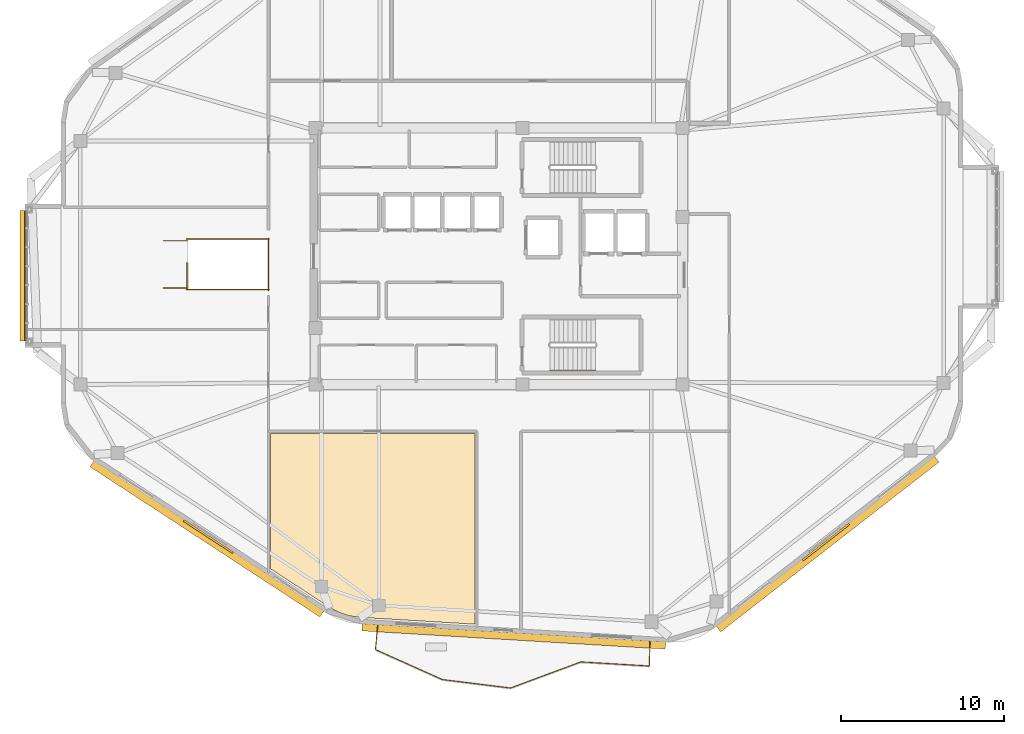
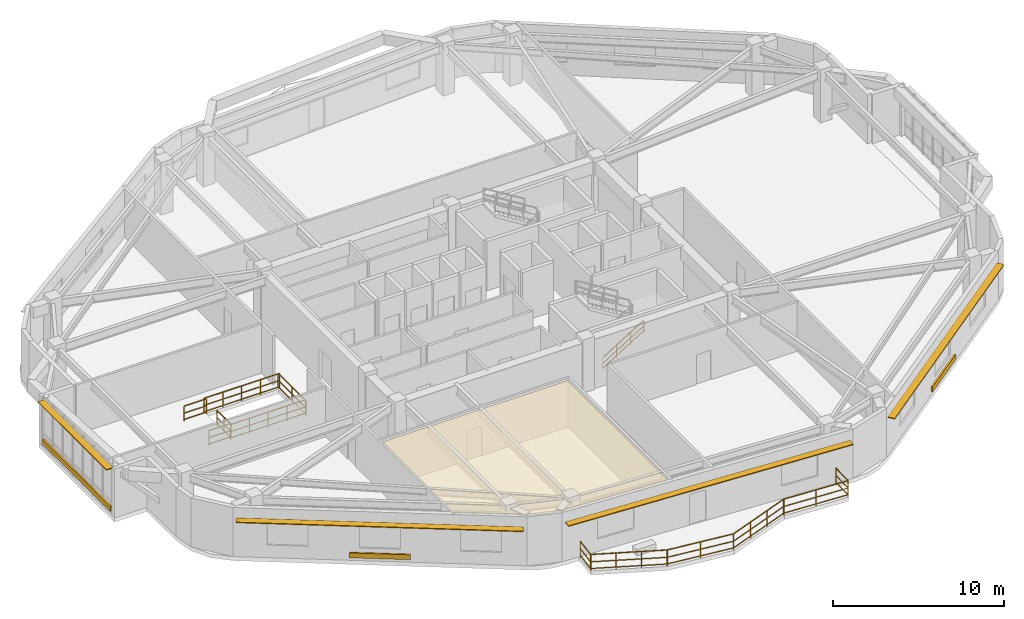
# One storey, part 14 of 16: 13 railings, 7 shading devices, 1 covering.
"""IFC4 building model written with IfcOpenShell, lengths in metres."""

from ifc_helpers import new_model, si_unit, direction, frame, origin, origin_2d, place, context, subcontext, project, spatial, polyline, rectangle, outline, extrude, material, layer, layer_set, type_object, element, save


model = new_model("IFC4")

# Units and contexts
model_context = context("Model", 3, precision=1e-05, world=origin(), true_north=direction((0.0, 1.0)))
body_context = subcontext(model_context, "Body", "Model", "MODEL_VIEW")
ifc_project = project(units=[si_unit("LENGTHUNIT", "METRE"), si_unit("AREAUNIT", "SQUARE_METRE"), si_unit("VOLUMEUNIT", "CUBIC_METRE"), si_unit("PLANEANGLEUNIT", "RADIAN"), si_unit("MASSUNIT", "GRAM", prefix="KILO")], contexts=[model_context])

# Site, building, storey
site_placement = place(None, origin())
site = spatial("IfcSite", under=ifc_project, at=site_placement, CompositionType="ELEMENT")
building_placement = place(site_placement, origin())
building = spatial("IfcBuilding", under=site, at=building_placement, Name="Zulverin Broadcast Headquarters", CompositionType="ELEMENT")
storey_placement = place(building_placement, frame((0.0, 0.0, 228.800048828125)))
storey = spatial("IfcBuildingStorey", under=building, at=storey_placement, Name="L58", CompositionType="ELEMENT", Elevation=228.800048828125)

# Covering
ifc_material_1 = material(Name="Perforated pale-metal acoustic baffle ceiling", Category="aluminium")
ifc_layer_1 = layer(ifc_material_1, 0.0400390625, Name="Perforated pale-metal acoustic baffle ceiling", Category="aluminium")
ifc_layer_set_1 = layer_set([ifc_layer_1], Name="Perforated pale-metal acoustic baffle ceiling")
covering_type = type_object("IfcCoveringType", Name="COV-CEIL-ACOU", PredefinedType="CEILING", material=ifc_layer_set_1)
covering_placement = place(storey_placement, frame((0.0, 0.0, 3.329833984375)))
element("IfcCovering", 1, at=covering_placement, inside=storey, type_object=covering_type, Name="L58 Acoustic Baffle Ceiling 03", PredefinedType="CEILING", context=body_context, shape_type="SweptSolid", body=[
    extrude(outline(polyline([(27.18798828125, 3.33203125), (27.7958984375, 3.1279296875), (28.444091796875, 3.031982421875), (35.531982421875, 2.60791015625), (35.531982421875, 14.33203125), (22.968017578125, 14.33203125), (22.968017578125, 6.01611328125), (26.60791015625, 3.639892578125), (27.18798828125, 3.33203125)])), origin(), (0.0, 0.0, 1.0), 0.0400390625),
])

# Railings
ifc_material_2 = material(Name="Brushed stainless steel & laminated glass balustrade", Category="steel")
railing_type_1 = type_object("IfcRailingType", Name="RL-GUARD-1150", PredefinedType="GUARDRAIL", material=ifc_material_2)
railing_1_placement = place(storey_placement, frame((29.5576171875, 2.525390625, 0.0)))
element("IfcRailing", 2, at=railing_1_placement, inside=storey, type_object=railing_type_1, Name="L58 Vertical-Forest Balcony Guardrail BAL_S Segment 01", PredefinedType="GUARDRAIL", context=body_context, shape_type="SweptSolid", body=[
    extrude(rectangle(XDim=0.048095703125, YDim=0.048095703125, at=origin_2d()), frame((0.0, 0.0, 1.1259765625), z_axis=(-0.100245616419, -0.994962721105, 0.0), x_axis=(0.994962721105, -0.100245616419, 0.0)), (0.0, 0.0, 1.0), 1.466064453125),
    extrude(rectangle(XDim=0.0419921875, YDim=0.0419921875, at=origin_2d()), frame((0.0, 0.0, 0.597900390625), z_axis=(-0.100245616419, -0.994962721105, 0.0), x_axis=(0.994962721105, -0.100245616419, 0.0)), (0.0, 0.0, 1.0), 1.466064453125),
    extrude(rectangle(XDim=0.0419921875, YDim=0.0419921875, at=origin_2d()), frame((0.0, 0.0, 0.1201171875), z_axis=(-0.100245616419, -0.994962721105, 0.0), x_axis=(0.994962721105, -0.100245616419, 0.0)), (0.0, 0.0, 1.0), 1.466064453125),
    extrude(rectangle(XDim=0.0419921875, YDim=0.0419921875, at=origin_2d()), origin(), (0.0, 0.0, 1.0), 1.101806640625),
    extrude(rectangle(XDim=0.0419921875, YDim=0.0419921875, at=origin_2d()), frame((-0.14697265625, -1.458740234375, 0.0)), (0.0, 0.0, 1.0), 1.101806640625),
])
railing_2_placement = place(storey_placement, frame((29.4228515625, 1.045654296875, 0.0)))
element("IfcRailing", 3, at=railing_2_placement, inside=storey, type_object=railing_type_1, Name="L58 Vertical-Forest Balcony Guardrail BAL_S Segment 02", PredefinedType="GUARDRAIL", context=body_context, shape_type="SweptSolid", body=[
    extrude(rectangle(XDim=0.048095703125, YDim=0.048095703125, at=origin_2d()), frame((0.0, 0.0, 1.1259765625), z_axis=(0.912796308073, -0.408415107419, 0.0), x_axis=(0.408415107419, 0.912796308073, 0.0)), (0.0, 0.0, 1.0), 4.474853515625),
    extrude(rectangle(XDim=0.0419921875, YDim=0.0419921875, at=origin_2d()), frame((0.0, 0.0, 0.597900390625), z_axis=(0.912796308073, -0.408415107419, 0.0), x_axis=(0.408415107419, 0.912796308073, 0.0)), (0.0, 0.0, 1.0), 4.474853515625),
    extrude(rectangle(XDim=0.0419921875, YDim=0.0419921875, at=origin_2d()), frame((0.0, 0.0, 0.1201171875), z_axis=(0.912796308073, -0.408415107419, 0.0), x_axis=(0.408415107419, 0.912796308073, 0.0)), (0.0, 0.0, 1.0), 4.474853515625),
    extrude(rectangle(XDim=0.0419921875, YDim=0.0419921875, at=origin_2d()), origin(), (0.0, 0.0, 1.0), 1.101806640625),
    extrude(rectangle(XDim=0.0419921875, YDim=0.0419921875, at=origin_2d()), frame((1.361572265625, -0.609130859375, 0.0)), (0.0, 0.0, 1.0), 1.101806640625),
    extrude(rectangle(XDim=0.0419921875, YDim=0.0419921875, at=origin_2d()), frame((2.72314453125, -1.218505859375, 0.0)), (0.0, 0.0, 1.0), 1.101806640625),
    extrude(rectangle(XDim=0.0419921875, YDim=0.0419921875, at=origin_2d()), frame((4.084716796875, -1.82763671875, 0.0)), (0.0, 0.0, 1.0), 1.101806640625),
])
railing_3_placement = place(storey_placement, frame((33.5361328125, -0.7900390625, 0.0)))
element("IfcRailing", 4, at=railing_3_placement, inside=storey, type_object=railing_type_1, Name="L58 Vertical-Forest Balcony Guardrail BAL_S Segment 03", PredefinedType="GUARDRAIL", context=body_context, shape_type="SweptSolid", body=[
    extrude(rectangle(XDim=0.048095703125, YDim=0.048095703125, at=origin_2d()), frame((0.0, 0.0, 1.1259765625), z_axis=(0.992375201283, -0.123253640429, 0.0), x_axis=(0.123253640429, 0.992375201283, 0.0)), (0.0, 0.0, 1.0), 4.193359375),
    extrude(rectangle(XDim=0.0419921875, YDim=0.0419921875, at=origin_2d()), frame((0.0, 0.0, 0.597900390625), z_axis=(0.992375201283, -0.123253640429, 0.0), x_axis=(0.123253640429, 0.992375201283, 0.0)), (0.0, 0.0, 1.0), 4.193359375),
    extrude(rectangle(XDim=0.0419921875, YDim=0.0419921875, at=origin_2d()), frame((0.0, 0.0, 0.1201171875), z_axis=(0.992375201283, -0.123253640429, 0.0), x_axis=(0.123253640429, 0.992375201283, 0.0)), (0.0, 0.0, 1.0), 4.193359375),
    extrude(rectangle(XDim=0.0419921875, YDim=0.0419921875, at=origin_2d()), origin(), (0.0, 0.0, 1.0), 1.101806640625),
    extrude(rectangle(XDim=0.0419921875, YDim=0.0419921875, at=origin_2d()), frame((2.08056640625, -0.25830078125, 0.0)), (0.0, 0.0, 1.0), 1.101806640625),
    extrude(rectangle(XDim=0.0419921875, YDim=0.0419921875, at=origin_2d()), frame((4.161376953125, -0.516845703125, 0.0)), (0.0, 0.0, 1.0), 1.101806640625),
])
railing_4_placement = place(storey_placement, frame((37.7265625, -1.303466796875, 0.0)))
element("IfcRailing", 5, at=railing_4_placement, inside=storey, type_object=railing_type_1, Name="L58 Vertical-Forest Balcony Guardrail BAL_S Segment 04", PredefinedType="GUARDRAIL", context=body_context, shape_type="SweptSolid", body=[
    extrude(rectangle(XDim=0.048095703125, YDim=0.048095703125, at=origin_2d()), frame((0.0, 0.0, 1.1259765625), z_axis=(0.937520756243, 0.347929348595, 0.0), x_axis=(-0.347929348595, 0.937520756243, 0.0)), (0.0, 0.0, 1.0), 4.576416015625),
    extrude(rectangle(XDim=0.0419921875, YDim=0.0419921875, at=origin_2d()), frame((0.0, 0.0, 0.597900390625), z_axis=(0.937520756243, 0.347929348595, 0.0), x_axis=(-0.347929348595, 0.937520756243, 0.0)), (0.0, 0.0, 1.0), 4.576416015625),
    extrude(rectangle(XDim=0.0419921875, YDim=0.0419921875, at=origin_2d()), frame((0.0, 0.0, 0.1201171875), z_axis=(0.937520756243, 0.347929348595, 0.0), x_axis=(-0.347929348595, 0.937520756243, 0.0)), (0.0, 0.0, 1.0), 4.576416015625),
    extrude(rectangle(XDim=0.0419921875, YDim=0.0419921875, at=origin_2d()), origin(), (0.0, 0.0, 1.0), 1.101806640625),
    extrude(rectangle(XDim=0.0419921875, YDim=0.0419921875, at=origin_2d()), frame((1.43017578125, 0.53076171875, 0.0)), (0.0, 0.0, 1.0), 1.101806640625),
    extrude(rectangle(XDim=0.0419921875, YDim=0.0419921875, at=origin_2d()), frame((2.8603515625, 1.0615234375, 0.0)), (0.0, 0.0, 1.0), 1.101806640625),
    extrude(rectangle(XDim=0.0419921875, YDim=0.0419921875, at=origin_2d()), frame((4.29052734375, 1.59228515625, 0.0)), (0.0, 0.0, 1.0), 1.101806640625),
])
railing_5_placement = place(storey_placement, frame((42.046142578125, 0.29296875, 0.0)))
element("IfcRailing", 6, at=railing_5_placement, inside=storey, type_object=railing_type_1, Name="L58 Vertical-Forest Balcony Guardrail BAL_S Segment 05", PredefinedType="GUARDRAIL", context=body_context, shape_type="SweptSolid", body=[
    extrude(rectangle(XDim=0.048095703125, YDim=0.048095703125, at=origin_2d()), frame((0.0, 0.0, 1.1259765625), z_axis=(0.998203450049, -0.059915543144, 0.0), x_axis=(0.059915543144, 0.998203450049, 0.0)), (0.0, 0.0, 1.0), 4.184814453125),
    extrude(rectangle(XDim=0.0419921875, YDim=0.0419921875, at=origin_2d()), frame((0.0, 0.0, 0.597900390625), z_axis=(0.998203450049, -0.059915543144, 0.0), x_axis=(0.059915543144, 0.998203450049, 0.0)), (0.0, 0.0, 1.0), 4.184814453125),
    extrude(rectangle(XDim=0.0419921875, YDim=0.0419921875, at=origin_2d()), frame((0.0, 0.0, 0.1201171875), z_axis=(0.998203450049, -0.059915543144, 0.0), x_axis=(0.059915543144, 0.998203450049, 0.0)), (0.0, 0.0, 1.0), 4.184814453125),
    extrude(rectangle(XDim=0.0419921875, YDim=0.0419921875, at=origin_2d()), origin(), (0.0, 0.0, 1.0), 1.101806640625),
    extrude(rectangle(XDim=0.0419921875, YDim=0.0419921875, at=origin_2d()), frame((2.088623046875, -0.12548828125, 0.0)), (0.0, 0.0, 1.0), 1.101806640625),
    extrude(rectangle(XDim=0.0419921875, YDim=0.0419921875, at=origin_2d()), frame((4.17724609375, -0.250732421875, 0.0)), (0.0, 0.0, 1.0), 1.101806640625),
])
railing_6_placement = place(storey_placement, frame((46.23876953125, 0.056396484375, 0.0)))
element("IfcRailing", 7, at=railing_6_placement, inside=storey, type_object=railing_type_1, Name="L58 Vertical-Forest Balcony Guardrail BAL_S Segment 06", PredefinedType="GUARDRAIL", context=body_context, shape_type="SweptSolid", body=[
    extrude(rectangle(XDim=0.048095703125, YDim=0.048095703125, at=origin_2d()), frame((0.0, 0.0, 1.1259765625), z_axis=(0.019483309682, 0.999810182307, 0.0), x_axis=(-0.999810182307, 0.019483309682, 0.0)), (0.0, 0.0, 1.0), 1.466064453125),
    extrude(rectangle(XDim=0.0419921875, YDim=0.0419921875, at=origin_2d()), frame((0.0, 0.0, 0.597900390625), z_axis=(0.019483309682, 0.999810182307, 0.0), x_axis=(-0.999810182307, 0.019483309682, 0.0)), (0.0, 0.0, 1.0), 1.466064453125),
    extrude(rectangle(XDim=0.0419921875, YDim=0.0419921875, at=origin_2d()), frame((0.0, 0.0, 0.1201171875), z_axis=(0.019483309682, 0.999810182307, 0.0), x_axis=(-0.999810182307, 0.019483309682, 0.0)), (0.0, 0.0, 1.0), 1.466064453125),
    extrude(rectangle(XDim=0.0419921875, YDim=0.0419921875, at=origin_2d()), origin(), (0.0, 0.0, 1.0), 1.101806640625),
    extrude(rectangle(XDim=0.0419921875, YDim=0.0419921875, at=origin_2d()), frame((0.028564453125, 1.4658203125, 0.0)), (0.0, 0.0, 1.0), 1.101806640625),
])
ifc_material_3 = material(Name="Painted galvanized steel tubular guardrail S355JR", Category="steel")
railing_type_2 = type_object("IfcRailingType", Name="RL-ST-GUARD", PredefinedType="GUARDRAIL", material=ifc_material_3)
railing_7_placement = place(storey_placement, frame((17.85009765625, 23.199951171875, 0.0)))
element("IfcRailing", 8, at=railing_7_placement, inside=storey, type_object=railing_type_2, Name="L58 ST-7 top well guard 1", PredefinedType="GUARDRAIL", context=body_context, shape_type="SweptSolid", body=[
    extrude(rectangle(XDim=0.048095703125, YDim=0.048095703125, at=origin_2d()), frame((0.0, 0.0, 1.076171875), z_axis=(0.0, 1.0, 0.0), x_axis=(-1.0, 0.0, 0.0)), (0.0, 0.0, 1.0), 1.60009765625),
    extrude(rectangle(XDim=0.0419921875, YDim=0.0419921875, at=origin_2d()), frame((0.0, 0.0, 0.572021484375), z_axis=(0.0, 1.0, 0.0), x_axis=(-1.0, 0.0, 0.0)), (0.0, 0.0, 1.0), 1.60009765625),
    extrude(rectangle(XDim=0.0419921875, YDim=0.0419921875, at=origin_2d()), frame((0.0, 0.0, 0.1201171875), z_axis=(0.0, 1.0, 0.0), x_axis=(-1.0, 0.0, 0.0)), (0.0, 0.0, 1.0), 1.60009765625),
    extrude(rectangle(XDim=0.0419921875, YDim=0.0419921875, at=origin_2d()), origin(), (0.0, 0.0, 1.0), 1.052001953125),
    extrude(rectangle(XDim=0.0419921875, YDim=0.0419921875, at=origin_2d()), frame((0.0, 0.800048828125, 0.0)), (0.0, 0.0, 1.0), 1.052001953125),
    extrude(rectangle(XDim=0.0419921875, YDim=0.0419921875, at=origin_2d()), frame((0.0, 1.60009765625, 0.0)), (0.0, 0.0, 1.0), 1.052001953125),
])
for number, where, name in (
    (9, (17.800048828125, 23.14990234375, 0.0), "L58 ST-7 top well guard 2"),
    (10, (17.800048828125, 26.25, 0.0), "L58 ST-7 top well guard 3"),
):
    element("IfcRailing", number, at=place(storey_placement, frame(where)), inside=storey, type_object=railing_type_2, Name=name, PredefinedType="GUARDRAIL", context=body_context, shape_type="SweptSolid", body=[
        extrude(rectangle(XDim=0.048095703125, YDim=0.048095703125, at=origin_2d()), frame((0.0, 0.0, 1.076171875), z_axis=(1.0, 0.0, 0.0), x_axis=(0.0, 1.0, 0.0)), (0.0, 0.0, 1.0), 5.099853515625),
        extrude(rectangle(XDim=0.0419921875, YDim=0.0419921875, at=origin_2d()), frame((0.0, 0.0, 0.572021484375), z_axis=(1.0, 0.0, 0.0), x_axis=(0.0, 1.0, 0.0)), (0.0, 0.0, 1.0), 5.099853515625),
        extrude(rectangle(XDim=0.0419921875, YDim=0.0419921875, at=origin_2d()), frame((0.0, 0.0, 0.1201171875), z_axis=(1.0, 0.0, 0.0), x_axis=(0.0, 1.0, 0.0)), (0.0, 0.0, 1.0), 5.099853515625),
        extrude(rectangle(XDim=0.0419921875, YDim=0.0419921875, at=origin_2d()), origin(), (0.0, 0.0, 1.0), 1.052001953125),
        extrude(rectangle(XDim=0.0419921875, YDim=0.0419921875, at=origin_2d()), frame((1.27490234375, 0.0, 0.0)), (0.0, 0.0, 1.0), 1.052001953125),
        extrude(rectangle(XDim=0.0419921875, YDim=0.0419921875, at=origin_2d()), frame((2.5498046875, 0.0, 0.0)), (0.0, 0.0, 1.0), 1.052001953125),
        extrude(rectangle(XDim=0.0419921875, YDim=0.0419921875, at=origin_2d()), frame((3.824951171875, 0.0, 0.0)), (0.0, 0.0, 1.0), 1.052001953125),
        extrude(rectangle(XDim=0.0419921875, YDim=0.0419921875, at=origin_2d()), frame((5.099853515625, 0.0, 0.0)), (0.0, 0.0, 1.0), 1.052001953125),
    ])
railing_8_placement = place(storey_placement, frame((22.85009765625, 23.10009765625, 0.0)))
element("IfcRailing", 11, at=railing_8_placement, inside=storey, type_object=railing_type_2, Name="L58 ST-7 top well guard 4", PredefinedType="GUARDRAIL", context=body_context, shape_type="SweptSolid", body=[
    extrude(rectangle(XDim=0.048095703125, YDim=0.048095703125, at=origin_2d()), frame((0.0, 0.0, 1.076171875), z_axis=(0.0, 1.0, 0.0), x_axis=(-1.0, 0.0, 0.0)), (0.0, 0.0, 1.0), 3.199951171875),
    extrude(rectangle(XDim=0.0419921875, YDim=0.0419921875, at=origin_2d()), frame((0.0, 0.0, 0.572021484375), z_axis=(0.0, 1.0, 0.0), x_axis=(-1.0, 0.0, 0.0)), (0.0, 0.0, 1.0), 3.199951171875),
    extrude(rectangle(XDim=0.0419921875, YDim=0.0419921875, at=origin_2d()), frame((0.0, 0.0, 0.1201171875), z_axis=(0.0, 1.0, 0.0), x_axis=(-1.0, 0.0, 0.0)), (0.0, 0.0, 1.0), 3.199951171875),
    extrude(rectangle(XDim=0.0419921875, YDim=0.0419921875, at=origin_2d()), origin(), (0.0, 0.0, 1.0), 1.052001953125),
    extrude(rectangle(XDim=0.0419921875, YDim=0.0419921875, at=origin_2d()), frame((0.0, 1.60009765625, 0.0)), (0.0, 0.0, 1.0), 1.052001953125),
    extrude(rectangle(XDim=0.0419921875, YDim=0.0419921875, at=origin_2d()), frame((0.0, 3.199951171875, 0.0)), (0.0, 0.0, 1.0), 1.052001953125),
])
for number, where, name in (
    (12, (16.39990234375, 23.25, 0.0), "L58 ST-7 top well guard 5"),
    (13, (16.39990234375, 26.14990234375, 0.0), "L58 ST-7 top well guard 6"),
):
    element("IfcRailing", number, at=place(storey_placement, frame(where)), inside=storey, type_object=railing_type_2, Name=name, PredefinedType="GUARDRAIL", context=body_context, shape_type="SweptSolid", body=[
        extrude(rectangle(XDim=0.048095703125, YDim=0.048095703125, at=origin_2d()), frame((0.0, 0.0, 1.076171875), z_axis=(1.0, 0.0, 0.0), x_axis=(0.0, 1.0, 0.0)), (0.0, 0.0, 1.0), 1.5),
        extrude(rectangle(XDim=0.0419921875, YDim=0.0419921875, at=origin_2d()), frame((0.0, 0.0, 0.572021484375), z_axis=(1.0, 0.0, 0.0), x_axis=(0.0, 1.0, 0.0)), (0.0, 0.0, 1.0), 1.5),
        extrude(rectangle(XDim=0.0419921875, YDim=0.0419921875, at=origin_2d()), frame((0.0, 0.0, 0.1201171875), z_axis=(1.0, 0.0, 0.0), x_axis=(0.0, 1.0, 0.0)), (0.0, 0.0, 1.0), 1.5),
        extrude(rectangle(XDim=0.0419921875, YDim=0.0419921875, at=origin_2d()), origin(), (0.0, 0.0, 1.0), 1.052001953125),
        extrude(rectangle(XDim=0.0419921875, YDim=0.0419921875, at=origin_2d()), frame((1.5, 0.0, 0.0)), (0.0, 0.0, 1.0), 1.052001953125),
    ])
ifc_material_4 = material(Name="Brushed stainless steel 48 mm handrail", Category="steel")
railing_type_3 = type_object("IfcRailingType", Name="RL-ST-HAND", PredefinedType="HANDRAIL", material=ifc_material_4)
railing_9_placement = place(storey_placement, frame((40.1298828125, 18.199951171875, 0.172607421875)))
element("IfcRailing", 14, at=railing_9_placement, inside=storey, type_object=railing_type_3, Name="L58 ST-2 stair handrail 1", PredefinedType="HANDRAIL", context=body_context, shape_type="SweptSolid", body=[
    extrude(rectangle(XDim=0.048095703125, YDim=0.048095703125, at=origin_2d()), frame((0.0, 0.0, 0.8759765625), z_axis=(0.851089632645, 0.0, 0.525020415988), x_axis=(0.0, 1.0, 0.0)), (0.0, 0.0, 1.0), 3.2900390625),
    extrude(rectangle(XDim=0.0419921875, YDim=0.0419921875, at=origin_2d()), frame((0.0, 0.0, 0.468017578125), z_axis=(0.851089632645, 0.0, 0.525020415988), x_axis=(0.0, 1.0, 0.0)), (0.0, 0.0, 1.0), 3.2900390625),
    extrude(rectangle(XDim=0.0419921875, YDim=0.0419921875, at=origin_2d()), frame((0.0, 0.0, 0.1201171875), z_axis=(0.851089632645, 0.0, 0.525020415988), x_axis=(0.0, 1.0, 0.0)), (0.0, 0.0, 1.0), 3.2900390625),
    extrude(rectangle(XDim=0.0419921875, YDim=0.0419921875, at=origin_2d()), origin(), (0.0, 0.0, 1.0), 0.851806640625),
    extrude(rectangle(XDim=0.0419921875, YDim=0.0419921875, at=origin_2d()), frame((0.933349609375, 0.0, 0.57568359375)), (0.0, 0.0, 1.0), 0.851806640625),
    extrude(rectangle(XDim=0.0419921875, YDim=0.0419921875, at=origin_2d()), frame((1.86669921875, 0.0, 1.151611328125)), (0.0, 0.0, 1.0), 0.851806640625),
    extrude(rectangle(XDim=0.0419921875, YDim=0.0419921875, at=origin_2d()), frame((2.800048828125, 0.0, 1.727294921875)), (0.0, 0.0, 1.0), 0.851806640625),
])

# Shading devices
ifc_material_5 = material(Name="Anodized pale-metal aluminium acoustic louvre", Category="aluminium")
shading_device_type_1 = type_object("IfcShadingDeviceType", Name="SHD-LOUVRE-350", PredefinedType="USERDEFINED", material=ifc_material_5)
for number, where, z_axis, x_axis, name in (
    (15, (57.077880859375, 7.653076171875, 0.244873046875), (0.0, 0.0, 1.0), (0.789459183061, 0.613803061479, 0.0), "L58 Spandrel Intake Louvre 2"),
    (16, (19.1591796875, 7.982421875, 0.244873046875), (0.0, 0.0, 1.0), (0.837115830387, -0.54702567263, 0.0), "L58 Spandrel Intake Louvre 8"),
):
    element("IfcShadingDevice", number, at=place(storey_placement, frame(where, z_axis=z_axis, x_axis=x_axis)), inside=storey, type_object=shading_device_type_1, Name=name, ObjectType="LOUVRE", PredefinedType="USERDEFINED", context=body_context, shape_type="SweptSolid", body=[
        extrude(rectangle(XDim=3.60009765625, YDim=0.1201171875, at=origin_2d()), origin(), (0.0, 0.0, 1.0), 0.35009765625),
    ])
shading_device_1_placement = place(storey_placement, frame((7.93994140625, 24.010009765625, 0.224853515625), z_axis=(0.0, 0.0, 1.0), x_axis=(0.0, -1.0, 0.0)))
element("IfcShadingDevice", 17, at=shading_device_1_placement, inside=storey, type_object=shading_device_type_1, Name="L58 Pale-Metal Acoustic Louvre Screen CW-L58-SBOX_SKY2_W-F", ObjectType="LOUVRE", PredefinedType="USERDEFINED", context=body_context, shape_type="SweptSolid", body=[
    extrude(rectangle(XDim=7.93994140625, YDim=0.1201171875, at=origin_2d()), origin(), (0.0, 0.0, 1.0), 0.35009765625),
])
ifc_material_6 = material(Name="Anodized pale-metal aluminium sunshade", Category="aluminium")
ifc_layer_2 = layer(ifc_material_6, 0.06005859375, Name="Anodized pale-metal aluminium sunshade", Category="aluminium")
ifc_layer_set_2 = layer_set([ifc_layer_2], Name="Anodized pale-metal aluminium sunshade")
shading_device_type_2 = type_object("IfcShadingDeviceType", Name="SS-01_PALE_METAL_ALUMINIUM_SUNSHADE", PredefinedType="USERDEFINED", material=ifc_layer_set_2)
shading_device_2_placement = place(storey_placement, frame((37.90283203125, 1.864013671875, 2.7099609375), z_axis=(0.0, 0.0, 1.0), x_axis=(0.998202681386, -0.059928347834, 0.0)))
element("IfcShadingDevice", 18, at=shading_device_2_placement, inside=storey, type_object=shading_device_type_2, Name="L58 Horizontal Pale-Metal Sunshade Band 1", ObjectType="SUNSHADE", PredefinedType="USERDEFINED", context=body_context, shape_type="SweptSolid", body=[
    extrude(rectangle(XDim=18.65966796875, YDim=0.449951171875, at=origin_2d()), origin(), (0.0, 0.0, 1.0), 0.06005859375),
])
shading_device_3_placement = place(storey_placement, frame((57.176025390625, 7.52685546875, 2.7099609375), z_axis=(0.0, 0.0, 1.0), x_axis=(0.789459183061, 0.613803061479, 0.0)))
element("IfcShadingDevice", 19, at=shading_device_3_placement, inside=storey, type_object=shading_device_type_2, Name="L58 Horizontal Pale-Metal Sunshade Band 2", ObjectType="SUNSHADE", PredefinedType="USERDEFINED", context=body_context, shape_type="SweptSolid", body=[
    extrude(rectangle(XDim=16.987548828125, YDim=0.449951171875, at=origin_2d()), origin(), (0.0, 0.0, 1.0), 0.06005859375),
])
shading_device_4_placement = place(storey_placement, frame((19.07177734375, 7.848388671875, 2.7099609375), z_axis=(0.0, 0.0, 1.0), x_axis=(0.837115830387, -0.54702567263, 0.0)))
element("IfcShadingDevice", 20, at=shading_device_4_placement, inside=storey, type_object=shading_device_type_2, Name="L58 Horizontal Pale-Metal Sunshade Band 8", ObjectType="SUNSHADE", PredefinedType="USERDEFINED", context=body_context, shape_type="SweptSolid", body=[
    extrude(rectangle(XDim=16.859130859375, YDim=0.449951171875, at=origin_2d()), origin(), (0.0, 0.0, 1.0), 0.06005859375),
])
shading_device_5_placement = place(storey_placement, frame((7.820068359375, 24.010009765625, 3.280029296875), z_axis=(0.0, 0.0, 1.0), x_axis=(0.0, -1.0, 0.0)))
element("IfcShadingDevice", 21, at=shading_device_5_placement, inside=storey, type_object=shading_device_type_2, Name="L58 Pale-Metal Horizontal Sunshade Band CW-L58-SBOX_SKY2_W-F", ObjectType="SUNSHADE", PredefinedType="USERDEFINED", context=body_context, shape_type="SweptSolid", body=[
    extrude(rectangle(XDim=8.02001953125, YDim=0.449951171875, at=origin_2d()), origin(), (0.0, 0.0, 1.0), 0.06005859375),
])

save(model, "model.ifc")
